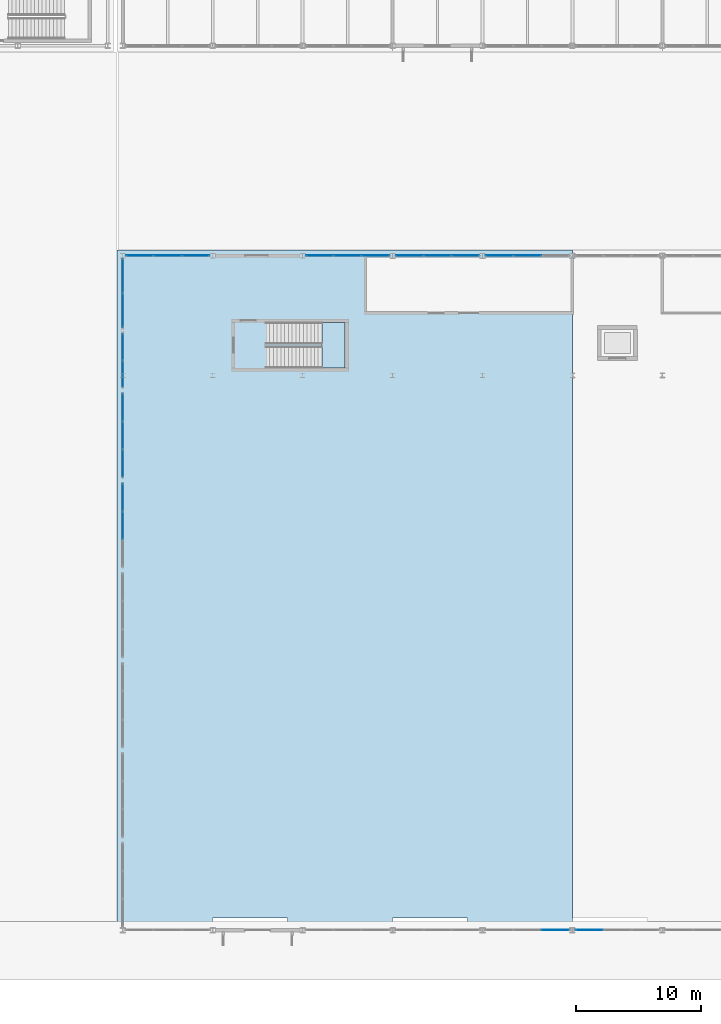
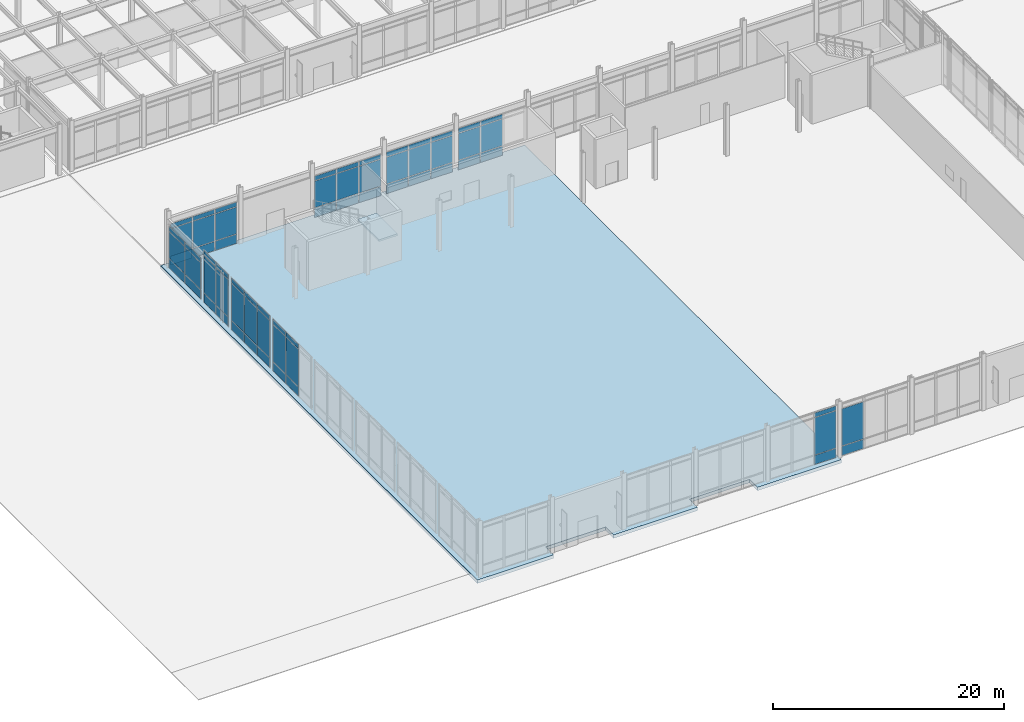
# One storey, part 58 of 104: 65 plates, 2 slabs, 11 elements without a shape of their own.
"""IFC4 building model written with IfcOpenShell, lengths in metres."""

from ifc_helpers import new_model, si_unit, direction, frame, origin, origin_2d, place, context, subcontext, project, spatial, polyline, rectangle, outline, extrude, material, layer, layer_set, type_object, element, aggregate, save


model = new_model("IFC4")

# Units and contexts
model_context = context("Model", 3, precision=1e-05, world=origin(), true_north=direction((0.0, 1.0)))
body_context = subcontext(model_context, "Body", "Model", "MODEL_VIEW")
ifc_project = project(units=[si_unit("LENGTHUNIT", "METRE"), si_unit("AREAUNIT", "SQUARE_METRE"), si_unit("VOLUMEUNIT", "CUBIC_METRE"), si_unit("PLANEANGLEUNIT", "RADIAN"), si_unit("MASSUNIT", "GRAM", prefix="KILO")], contexts=[model_context])

# Site, building, storey
site_placement = place(None, origin())
site = spatial("IfcSite", under=ifc_project, at=site_placement, CompositionType="ELEMENT")
building_placement = place(site_placement, origin())
building = spatial("IfcBuilding", under=site, at=building_placement, Name="Vaelcorin Mobility Hub", CompositionType="ELEMENT")
storey_placement = place(building_placement, origin())
storey = spatial("IfcBuildingStorey", under=building, at=storey_placement, Name="L00", CompositionType="ELEMENT", Elevation=0.0)

# Curtain wall, plates
ifc_material_1 = material(Name="Anodised aluminium 6063-T6", Category="aluminium")
curtain_wall_type_1 = type_object("IfcCurtainWallType", Name="CW-CONC-B", PredefinedType="NOTDEFINED", material=ifc_material_1)
curtain_wall_1_placement = place(storey_placement, origin())
curtain_wall_1 = element("IfcCurtainWall", 1, at=curtain_wall_1_placement, inside=storey, type_object=curtain_wall_type_1, Name="L00 Curtain Wall CW-V1-N-01", PredefinedType="NOTDEFINED")
ifc_material_2 = material(Name="Low-E solar-control insulated glazing", Category="glass")
ifc_layer_1 = layer(ifc_material_2, 0.031982421875)
ifc_layer_set_1 = layer_set([ifc_layer_1], Name="Low-E solar-control insulated glazing")
plate_type = type_object("IfcPlateType", Name="CW-PAN-GLZ32", PredefinedType="CURTAIN_PANEL", material=ifc_layer_set_1)
plate_1_placement = place(storey_placement, frame((37.361572265625, 60.0, 0.06005859375), z_axis=(0.0, 0.0, 1.0), x_axis=(1.0, 0.0, 0.0)))
plate_1 = element("IfcPlate", 2, at=plate_1_placement, type_object=plate_type, Name="CW2 panel 1.1", PredefinedType="CURTAIN_PANEL", context=body_context, shape_type="SweptSolid", body=[
    extrude(rectangle(XDim=2.163330078125, YDim=0.028076171875, at=origin_2d()), origin(), (0.0, 0.0, 1.0), 0.9599609375),
])
plate_2_placement = place(storey_placement, frame((37.361572265625, 60.0, 1.080078125), z_axis=(0.0, 0.0, 1.0), x_axis=(1.0, 0.0, 0.0)))
plate_2 = element("IfcPlate", 3, at=plate_2_placement, type_object=plate_type, Name="CW2 panel 1.2", PredefinedType="CURTAIN_PANEL", context=body_context, shape_type="SweptSolid", body=[
    extrude(rectangle(XDim=2.163330078125, YDim=0.028076171875, at=origin_2d()), origin(), (0.0, 0.0, 1.0), 2.822021484375),
])
plate_3_placement = place(storey_placement, frame((37.361572265625, 60.0, 3.9619140625), z_axis=(0.0, 0.0, 1.0), x_axis=(1.0, 0.0, 0.0)))
plate_3 = element("IfcPlate", 4, at=plate_3_placement, type_object=plate_type, Name="CW2 panel 1.3", PredefinedType="CURTAIN_PANEL", context=body_context, shape_type="SweptSolid", body=[
    extrude(rectangle(XDim=2.163330078125, YDim=0.028076171875, at=origin_2d()), origin(), (0.0, 0.0, 1.0), 0.4599609375),
])
plate_4_placement = place(storey_placement, frame((39.60009765625, 60.0, 0.06005859375), z_axis=(0.0, 0.0, 1.0), x_axis=(1.0, 0.0, 0.0)))
plate_4 = element("IfcPlate", 5, at=plate_4_placement, type_object=plate_type, Name="CW2 panel 2.1", PredefinedType="CURTAIN_PANEL", context=body_context, shape_type="SweptSolid", body=[
    extrude(rectangle(XDim=2.193359375, YDim=0.028076171875, at=origin_2d()), origin(), (0.0, 0.0, 1.0), 0.9599609375),
])
plate_5_placement = place(storey_placement, frame((39.60009765625, 60.0, 1.080078125), z_axis=(0.0, 0.0, 1.0), x_axis=(1.0, 0.0, 0.0)))
plate_5 = element("IfcPlate", 6, at=plate_5_placement, type_object=plate_type, Name="CW2 panel 2.2", PredefinedType="CURTAIN_PANEL", context=body_context, shape_type="SweptSolid", body=[
    extrude(rectangle(XDim=2.193359375, YDim=0.028076171875, at=origin_2d()), origin(), (0.0, 0.0, 1.0), 2.822021484375),
])
plate_6_placement = place(storey_placement, frame((39.60009765625, 60.0, 3.9619140625), z_axis=(0.0, 0.0, 1.0), x_axis=(1.0, 0.0, 0.0)))
plate_6 = element("IfcPlate", 7, at=plate_6_placement, type_object=plate_type, Name="CW2 panel 2.3", PredefinedType="CURTAIN_PANEL", context=body_context, shape_type="SweptSolid", body=[
    extrude(rectangle(XDim=2.193359375, YDim=0.028076171875, at=origin_2d()), origin(), (0.0, 0.0, 1.0), 0.4599609375),
])
plate_7_placement = place(storey_placement, frame((41.83837890625, 60.0, 0.06005859375), z_axis=(0.0, 0.0, 1.0), x_axis=(1.0, 0.0, 0.0)))
plate_7 = element("IfcPlate", 8, at=plate_7_placement, type_object=plate_type, Name="CW2 panel 3.1", PredefinedType="CURTAIN_PANEL", context=body_context, shape_type="SweptSolid", body=[
    extrude(rectangle(XDim=2.163330078125, YDim=0.028076171875, at=origin_2d()), origin(), (0.0, 0.0, 1.0), 0.9599609375),
])
plate_8_placement = place(storey_placement, frame((41.83837890625, 60.0, 1.080078125), z_axis=(0.0, 0.0, 1.0), x_axis=(1.0, 0.0, 0.0)))
plate_8 = element("IfcPlate", 9, at=plate_8_placement, type_object=plate_type, Name="CW2 panel 3.2", PredefinedType="CURTAIN_PANEL", context=body_context, shape_type="SweptSolid", body=[
    extrude(rectangle(XDim=2.163330078125, YDim=0.028076171875, at=origin_2d()), origin(), (0.0, 0.0, 1.0), 2.822021484375),
])
plate_9_placement = place(storey_placement, frame((41.83837890625, 60.0, 3.9619140625), z_axis=(0.0, 0.0, 1.0), x_axis=(1.0, 0.0, 0.0)))
plate_9 = element("IfcPlate", 10, at=plate_9_placement, type_object=plate_type, Name="CW2 panel 3.3", PredefinedType="CURTAIN_PANEL", context=body_context, shape_type="SweptSolid", body=[
    extrude(rectangle(XDim=2.163330078125, YDim=0.028076171875, at=origin_2d()), origin(), (0.0, 0.0, 1.0), 0.4599609375),
])
aggregate(curtain_wall_1, [plate_1, plate_2, plate_3, plate_4, plate_5, plate_6, plate_7, plate_8, plate_9])

curtain_wall_2_placement = place(storey_placement, origin())
curtain_wall_2 = element("IfcCurtainWall", 11, at=curtain_wall_2_placement, inside=storey, type_object=curtain_wall_type_1, Name="L00 Curtain Wall CW-V1-N-03", PredefinedType="NOTDEFINED")
plate_10_placement = place(storey_placement, frame((51.76171875, 60.0, 0.06005859375), z_axis=(0.0, 0.0, 1.0), x_axis=(1.0, 0.0, 0.0)))
plate_10 = element("IfcPlate", 12, at=plate_10_placement, type_object=plate_type, Name="CW2 panel 1.1", PredefinedType="CURTAIN_PANEL", context=body_context, shape_type="SweptSolid", body=[
    extrude(rectangle(XDim=2.163330078125, YDim=0.028076171875, at=origin_2d()), origin(), (0.0, 0.0, 1.0), 0.9599609375),
])
plate_11_placement = place(storey_placement, frame((51.76171875, 60.0, 1.080078125), z_axis=(0.0, 0.0, 1.0), x_axis=(1.0, 0.0, 0.0)))
plate_11 = element("IfcPlate", 13, at=plate_11_placement, type_object=plate_type, Name="CW2 panel 1.2", PredefinedType="CURTAIN_PANEL", context=body_context, shape_type="SweptSolid", body=[
    extrude(rectangle(XDim=2.163330078125, YDim=0.028076171875, at=origin_2d()), origin(), (0.0, 0.0, 1.0), 2.822021484375),
])
plate_12_placement = place(storey_placement, frame((51.76171875, 60.0, 3.9619140625), z_axis=(0.0, 0.0, 1.0), x_axis=(1.0, 0.0, 0.0)))
plate_12 = element("IfcPlate", 14, at=plate_12_placement, type_object=plate_type, Name="CW2 panel 1.3", PredefinedType="CURTAIN_PANEL", context=body_context, shape_type="SweptSolid", body=[
    extrude(rectangle(XDim=2.163330078125, YDim=0.028076171875, at=origin_2d()), origin(), (0.0, 0.0, 1.0), 0.4599609375),
])
plate_13_placement = place(storey_placement, frame((54.0, 60.0, 0.06005859375), z_axis=(0.0, 0.0, 1.0), x_axis=(1.0, 0.0, 0.0)))
plate_13 = element("IfcPlate", 15, at=plate_13_placement, type_object=plate_type, Name="CW2 panel 2.1", PredefinedType="CURTAIN_PANEL", context=body_context, shape_type="SweptSolid", body=[
    extrude(rectangle(XDim=2.193359375, YDim=0.028076171875, at=origin_2d()), origin(), (0.0, 0.0, 1.0), 0.9599609375),
])
plate_14_placement = place(storey_placement, frame((54.0, 60.0, 1.080078125), z_axis=(0.0, 0.0, 1.0), x_axis=(1.0, 0.0, 0.0)))
plate_14 = element("IfcPlate", 16, at=plate_14_placement, type_object=plate_type, Name="CW2 panel 2.2", PredefinedType="CURTAIN_PANEL", context=body_context, shape_type="SweptSolid", body=[
    extrude(rectangle(XDim=2.193359375, YDim=0.028076171875, at=origin_2d()), origin(), (0.0, 0.0, 1.0), 2.822021484375),
])
plate_15_placement = place(storey_placement, frame((54.0, 60.0, 3.9619140625), z_axis=(0.0, 0.0, 1.0), x_axis=(1.0, 0.0, 0.0)))
plate_15 = element("IfcPlate", 17, at=plate_15_placement, type_object=plate_type, Name="CW2 panel 2.3", PredefinedType="CURTAIN_PANEL", context=body_context, shape_type="SweptSolid", body=[
    extrude(rectangle(XDim=2.193359375, YDim=0.028076171875, at=origin_2d()), origin(), (0.0, 0.0, 1.0), 0.4599609375),
])
plate_16_placement = place(storey_placement, frame((56.23828125, 60.0, 0.06005859375), z_axis=(0.0, 0.0, 1.0), x_axis=(1.0, 0.0, 0.0)))
plate_16 = element("IfcPlate", 18, at=plate_16_placement, type_object=plate_type, Name="CW2 panel 3.1", PredefinedType="CURTAIN_PANEL", context=body_context, shape_type="SweptSolid", body=[
    extrude(rectangle(XDim=2.163330078125, YDim=0.028076171875, at=origin_2d()), origin(), (0.0, 0.0, 1.0), 0.9599609375),
])
plate_17_placement = place(storey_placement, frame((56.23828125, 60.0, 1.080078125), z_axis=(0.0, 0.0, 1.0), x_axis=(1.0, 0.0, 0.0)))
plate_17 = element("IfcPlate", 19, at=plate_17_placement, type_object=plate_type, Name="CW2 panel 3.2", PredefinedType="CURTAIN_PANEL", context=body_context, shape_type="SweptSolid", body=[
    extrude(rectangle(XDim=2.163330078125, YDim=0.028076171875, at=origin_2d()), origin(), (0.0, 0.0, 1.0), 2.822021484375),
])
plate_18_placement = place(storey_placement, frame((56.23828125, 60.0, 3.9619140625), z_axis=(0.0, 0.0, 1.0), x_axis=(1.0, 0.0, 0.0)))
plate_18 = element("IfcPlate", 20, at=plate_18_placement, type_object=plate_type, Name="CW2 panel 3.3", PredefinedType="CURTAIN_PANEL", context=body_context, shape_type="SweptSolid", body=[
    extrude(rectangle(XDim=2.163330078125, YDim=0.028076171875, at=origin_2d()), origin(), (0.0, 0.0, 1.0), 0.4599609375),
])
aggregate(curtain_wall_2, [plate_10, plate_11, plate_12, plate_13, plate_14, plate_15, plate_16, plate_17, plate_18])

curtain_wall_3_placement = place(storey_placement, origin())
curtain_wall_3 = element("IfcCurtainWall", 21, at=curtain_wall_3_placement, inside=storey, type_object=curtain_wall_type_1, Name="L00 Curtain Wall CW-V1-N-04", PredefinedType="NOTDEFINED")
plate_19_placement = place(storey_placement, frame((58.961669921875, 60.0, 0.06005859375), z_axis=(0.0, 0.0, 1.0), x_axis=(1.0, 0.0, 0.0)))
plate_19 = element("IfcPlate", 22, at=plate_19_placement, type_object=plate_type, Name="CW2 panel 1.1", PredefinedType="CURTAIN_PANEL", context=body_context, shape_type="SweptSolid", body=[
    extrude(rectangle(XDim=2.163330078125, YDim=0.028076171875, at=origin_2d()), origin(), (0.0, 0.0, 1.0), 0.9599609375),
])
plate_20_placement = place(storey_placement, frame((58.961669921875, 60.0, 1.080078125), z_axis=(0.0, 0.0, 1.0), x_axis=(1.0, 0.0, 0.0)))
plate_20 = element("IfcPlate", 23, at=plate_20_placement, type_object=plate_type, Name="CW2 panel 1.2", PredefinedType="CURTAIN_PANEL", context=body_context, shape_type="SweptSolid", body=[
    extrude(rectangle(XDim=2.163330078125, YDim=0.028076171875, at=origin_2d()), origin(), (0.0, 0.0, 1.0), 2.822021484375),
])
plate_21_placement = place(storey_placement, frame((58.961669921875, 60.0, 3.9619140625), z_axis=(0.0, 0.0, 1.0), x_axis=(1.0, 0.0, 0.0)))
plate_21 = element("IfcPlate", 24, at=plate_21_placement, type_object=plate_type, Name="CW2 panel 1.3", PredefinedType="CURTAIN_PANEL", context=body_context, shape_type="SweptSolid", body=[
    extrude(rectangle(XDim=2.163330078125, YDim=0.028076171875, at=origin_2d()), origin(), (0.0, 0.0, 1.0), 0.4599609375),
])
plate_22_placement = place(storey_placement, frame((61.199951171875, 60.0, 0.06005859375), z_axis=(0.0, 0.0, 1.0), x_axis=(1.0, 0.0, 0.0)))
plate_22 = element("IfcPlate", 25, at=plate_22_placement, type_object=plate_type, Name="CW2 panel 2.1", PredefinedType="CURTAIN_PANEL", context=body_context, shape_type="SweptSolid", body=[
    extrude(rectangle(XDim=2.193359375, YDim=0.028076171875, at=origin_2d()), origin(), (0.0, 0.0, 1.0), 0.9599609375),
])
plate_23_placement = place(storey_placement, frame((61.199951171875, 60.0, 1.080078125), z_axis=(0.0, 0.0, 1.0), x_axis=(1.0, 0.0, 0.0)))
plate_23 = element("IfcPlate", 26, at=plate_23_placement, type_object=plate_type, Name="CW2 panel 2.2", PredefinedType="CURTAIN_PANEL", context=body_context, shape_type="SweptSolid", body=[
    extrude(rectangle(XDim=2.193359375, YDim=0.028076171875, at=origin_2d()), origin(), (0.0, 0.0, 1.0), 2.822021484375),
])
plate_24_placement = place(storey_placement, frame((61.199951171875, 60.0, 3.9619140625), z_axis=(0.0, 0.0, 1.0), x_axis=(1.0, 0.0, 0.0)))
plate_24 = element("IfcPlate", 27, at=plate_24_placement, type_object=plate_type, Name="CW2 panel 2.3", PredefinedType="CURTAIN_PANEL", context=body_context, shape_type="SweptSolid", body=[
    extrude(rectangle(XDim=2.193359375, YDim=0.028076171875, at=origin_2d()), origin(), (0.0, 0.0, 1.0), 0.4599609375),
])
plate_25_placement = place(storey_placement, frame((63.438232421875, 60.0, 0.06005859375), z_axis=(0.0, 0.0, 1.0), x_axis=(1.0, 0.0, 0.0)))
plate_25 = element("IfcPlate", 28, at=plate_25_placement, type_object=plate_type, Name="CW2 panel 3.1", PredefinedType="CURTAIN_PANEL", context=body_context, shape_type="SweptSolid", body=[
    extrude(rectangle(XDim=2.163330078125, YDim=0.028076171875, at=origin_2d()), origin(), (0.0, 0.0, 1.0), 0.9599609375),
])
plate_26_placement = place(storey_placement, frame((63.438232421875, 60.0, 1.080078125), z_axis=(0.0, 0.0, 1.0), x_axis=(1.0, 0.0, 0.0)))
plate_26 = element("IfcPlate", 29, at=plate_26_placement, type_object=plate_type, Name="CW2 panel 3.2", PredefinedType="CURTAIN_PANEL", context=body_context, shape_type="SweptSolid", body=[
    extrude(rectangle(XDim=2.163330078125, YDim=0.028076171875, at=origin_2d()), origin(), (0.0, 0.0, 1.0), 2.822021484375),
])
plate_27_placement = place(storey_placement, frame((63.438232421875, 60.0, 3.9619140625), z_axis=(0.0, 0.0, 1.0), x_axis=(1.0, 0.0, 0.0)))
plate_27 = element("IfcPlate", 30, at=plate_27_placement, type_object=plate_type, Name="CW2 panel 3.3", PredefinedType="CURTAIN_PANEL", context=body_context, shape_type="SweptSolid", body=[
    extrude(rectangle(XDim=2.163330078125, YDim=0.028076171875, at=origin_2d()), origin(), (0.0, 0.0, 1.0), 0.4599609375),
])
aggregate(curtain_wall_3, [plate_19, plate_20, plate_21, plate_22, plate_23, plate_24, plate_25, plate_26, plate_27])

curtain_wall_type_2 = type_object("IfcCurtainWallType", Name="CW-CONC-A", PredefinedType="NOTDEFINED", material=ifc_material_1)
curtain_wall_4_placement = place(storey_placement, origin())
curtain_wall_4 = element("IfcCurtainWall", 31, at=curtain_wall_4_placement, inside=storey, type_object=curtain_wall_type_2, Name="L00 Curtain Wall CW-V1-S-05", PredefinedType="NOTDEFINED")
plate_28_placement = place(storey_placement, frame((70.638427734375, 6.0, 0.06005859375), z_axis=(0.0, 0.0, 1.0), x_axis=(-1.0, 0.0, 0.0)))
plate_28 = element("IfcPlate", 32, at=plate_28_placement, type_object=plate_type, Name="CW1 panel 1.1", PredefinedType="CURTAIN_PANEL", context=body_context, shape_type="SweptSolid", body=[
    extrude(rectangle(XDim=2.163330078125, YDim=0.028076171875, at=origin_2d()), origin(), (0.0, 0.0, 1.0), 0.9599609375),
])
plate_29_placement = place(storey_placement, frame((70.638427734375, 6.0, 1.080078125), z_axis=(0.0, 0.0, 1.0), x_axis=(-1.0, 0.0, 0.0)))
plate_29 = element("IfcPlate", 33, at=plate_29_placement, type_object=plate_type, Name="CW1 panel 1.2", PredefinedType="CURTAIN_PANEL", context=body_context, shape_type="SweptSolid", body=[
    extrude(rectangle(XDim=2.163330078125, YDim=0.028076171875, at=origin_2d()), origin(), (0.0, 0.0, 1.0), 3.919921875),
])
plate_30_placement = place(storey_placement, frame((70.638427734375, 6.0, 5.06005859375), z_axis=(0.0, 0.0, 1.0), x_axis=(-1.0, 0.0, 0.0)))
plate_30 = element("IfcPlate", 34, at=plate_30_placement, type_object=plate_type, Name="CW1 panel 1.3", PredefinedType="CURTAIN_PANEL", context=body_context, shape_type="SweptSolid", body=[
    extrude(rectangle(XDim=2.163330078125, YDim=0.028076171875, at=origin_2d()), origin(), (0.0, 0.0, 1.0), 0.4599609375),
])
aggregate(curtain_wall_4, [plate_28, plate_29, plate_30])

curtain_wall_5_placement = place(storey_placement, origin())
curtain_wall_5 = element("IfcCurtainWall", 35, at=curtain_wall_5_placement, inside=storey, type_object=curtain_wall_type_1, Name="L00 Curtain Wall CW-V1-N-05", PredefinedType="NOTDEFINED")
plate_31_placement = place(storey_placement, frame((66.16162109375, 60.0, 0.06005859375), z_axis=(0.0, 0.0, 1.0), x_axis=(1.0, 0.0, 0.0)))
plate_31 = element("IfcPlate", 36, at=plate_31_placement, type_object=plate_type, Name="CW2 panel 1.1", PredefinedType="CURTAIN_PANEL", context=body_context, shape_type="SweptSolid", body=[
    extrude(rectangle(XDim=2.163330078125, YDim=0.028076171875, at=origin_2d()), origin(), (0.0, 0.0, 1.0), 0.9599609375),
])
plate_32_placement = place(storey_placement, frame((66.16162109375, 60.0, 1.080078125), z_axis=(0.0, 0.0, 1.0), x_axis=(1.0, 0.0, 0.0)))
plate_32 = element("IfcPlate", 37, at=plate_32_placement, type_object=plate_type, Name="CW2 panel 1.2", PredefinedType="CURTAIN_PANEL", context=body_context, shape_type="SweptSolid", body=[
    extrude(rectangle(XDim=2.163330078125, YDim=0.028076171875, at=origin_2d()), origin(), (0.0, 0.0, 1.0), 2.822021484375),
])
plate_33_placement = place(storey_placement, frame((66.16162109375, 60.0, 3.9619140625), z_axis=(0.0, 0.0, 1.0), x_axis=(1.0, 0.0, 0.0)))
plate_33 = element("IfcPlate", 38, at=plate_33_placement, type_object=plate_type, Name="CW2 panel 1.3", PredefinedType="CURTAIN_PANEL", context=body_context, shape_type="SweptSolid", body=[
    extrude(rectangle(XDim=2.163330078125, YDim=0.028076171875, at=origin_2d()), origin(), (0.0, 0.0, 1.0), 0.4599609375),
])
plate_34_placement = place(storey_placement, frame((68.39990234375, 60.0, 0.06005859375), z_axis=(0.0, 0.0, 1.0), x_axis=(1.0, 0.0, 0.0)))
plate_34 = element("IfcPlate", 39, at=plate_34_placement, type_object=plate_type, Name="CW2 panel 2.1", PredefinedType="CURTAIN_PANEL", context=body_context, shape_type="SweptSolid", body=[
    extrude(rectangle(XDim=2.193359375, YDim=0.028076171875, at=origin_2d()), origin(), (0.0, 0.0, 1.0), 0.9599609375),
])
plate_35_placement = place(storey_placement, frame((68.39990234375, 60.0, 1.080078125), z_axis=(0.0, 0.0, 1.0), x_axis=(1.0, 0.0, 0.0)))
plate_35 = element("IfcPlate", 40, at=plate_35_placement, type_object=plate_type, Name="CW2 panel 2.2", PredefinedType="CURTAIN_PANEL", context=body_context, shape_type="SweptSolid", body=[
    extrude(rectangle(XDim=2.193359375, YDim=0.028076171875, at=origin_2d()), origin(), (0.0, 0.0, 1.0), 2.822021484375),
])
plate_36_placement = place(storey_placement, frame((68.39990234375, 60.0, 3.9619140625), z_axis=(0.0, 0.0, 1.0), x_axis=(1.0, 0.0, 0.0)))
plate_36 = element("IfcPlate", 41, at=plate_36_placement, type_object=plate_type, Name="CW2 panel 2.3", PredefinedType="CURTAIN_PANEL", context=body_context, shape_type="SweptSolid", body=[
    extrude(rectangle(XDim=2.193359375, YDim=0.028076171875, at=origin_2d()), origin(), (0.0, 0.0, 1.0), 0.4599609375),
])
aggregate(curtain_wall_5, [plate_31, plate_32, plate_33, plate_34, plate_35, plate_36])

curtain_wall_6_placement = place(storey_placement, origin())
curtain_wall_6 = element("IfcCurtainWall", 42, at=curtain_wall_6_placement, inside=storey, type_object=curtain_wall_type_2, Name="L00 Curtain Wall CW-V1-S-06", PredefinedType="NOTDEFINED")
plate_37_placement = place(storey_placement, frame((73.361572265625, 6.0, 0.06005859375), z_axis=(0.0, 0.0, 1.0), x_axis=(-1.0, 0.0, 0.0)))
plate_37 = element("IfcPlate", 43, at=plate_37_placement, type_object=plate_type, Name="CW1 panel 3.1", PredefinedType="CURTAIN_PANEL", context=body_context, shape_type="SweptSolid", body=[
    extrude(rectangle(XDim=2.163330078125, YDim=0.028076171875, at=origin_2d()), origin(), (0.0, 0.0, 1.0), 0.9599609375),
])
plate_38_placement = place(storey_placement, frame((73.361572265625, 6.0, 1.080078125), z_axis=(0.0, 0.0, 1.0), x_axis=(-1.0, 0.0, 0.0)))
plate_38 = element("IfcPlate", 44, at=plate_38_placement, type_object=plate_type, Name="CW1 panel 3.2", PredefinedType="CURTAIN_PANEL", context=body_context, shape_type="SweptSolid", body=[
    extrude(rectangle(XDim=2.163330078125, YDim=0.028076171875, at=origin_2d()), origin(), (0.0, 0.0, 1.0), 3.919921875),
])
aggregate(curtain_wall_6, [plate_37, plate_38])

curtain_wall_7_placement = place(storey_placement, origin())
curtain_wall_7 = element("IfcCurtainWall", 45, at=curtain_wall_7_placement, inside=storey, type_object=curtain_wall_type_2, Name="L00 Curtain Wall CW-V1-W-05", PredefinedType="NOTDEFINED")
plate_39_placement = place(storey_placement, frame((36.0, 38.39990234375, 0.06005859375), z_axis=(0.0, 0.0, 1.0), x_axis=(0.0, 1.0, 0.0)))
plate_39 = element("IfcPlate", 46, at=plate_39_placement, type_object=plate_type, Name="CW1 panel 2.1", PredefinedType="CURTAIN_PANEL", context=body_context, shape_type="SweptSolid", body=[
    extrude(rectangle(XDim=2.193359375, YDim=0.028076171875, at=origin_2d()), origin(), (0.0, 0.0, 1.0), 0.9599609375),
])
plate_40_placement = place(storey_placement, frame((36.0, 38.39990234375, 1.080078125), z_axis=(0.0, 0.0, 1.0), x_axis=(0.0, 1.0, 0.0)))
plate_40 = element("IfcPlate", 47, at=plate_40_placement, type_object=plate_type, Name="CW1 panel 2.2", PredefinedType="CURTAIN_PANEL", context=body_context, shape_type="SweptSolid", body=[
    extrude(rectangle(XDim=2.193359375, YDim=0.028076171875, at=origin_2d()), origin(), (0.0, 0.0, 1.0), 3.919921875),
])
plate_41_placement = place(storey_placement, frame((36.0, 38.39990234375, 5.06005859375), z_axis=(0.0, 0.0, 1.0), x_axis=(0.0, 1.0, 0.0)))
plate_41 = element("IfcPlate", 48, at=plate_41_placement, type_object=plate_type, Name="CW1 panel 2.3", PredefinedType="CURTAIN_PANEL", context=body_context, shape_type="SweptSolid", body=[
    extrude(rectangle(XDim=2.193359375, YDim=0.028076171875, at=origin_2d()), origin(), (0.0, 0.0, 1.0), 0.4599609375),
])
plate_42_placement = place(storey_placement, frame((36.0, 40.638427734375, 0.06005859375), z_axis=(0.0, 0.0, 1.0), x_axis=(0.0, 1.0, 0.0)))
plate_42 = element("IfcPlate", 49, at=plate_42_placement, type_object=plate_type, Name="CW1 panel 3.1", PredefinedType="CURTAIN_PANEL", context=body_context, shape_type="SweptSolid", body=[
    extrude(rectangle(XDim=2.163330078125, YDim=0.028076171875, at=origin_2d()), origin(), (0.0, 0.0, 1.0), 0.9599609375),
])
plate_43_placement = place(storey_placement, frame((36.0, 40.638427734375, 1.080078125), z_axis=(0.0, 0.0, 1.0), x_axis=(0.0, 1.0, 0.0)))
plate_43 = element("IfcPlate", 50, at=plate_43_placement, type_object=plate_type, Name="CW1 panel 3.2", PredefinedType="CURTAIN_PANEL", context=body_context, shape_type="SweptSolid", body=[
    extrude(rectangle(XDim=2.163330078125, YDim=0.028076171875, at=origin_2d()), origin(), (0.0, 0.0, 1.0), 3.919921875),
])
plate_44_placement = place(storey_placement, frame((36.0, 40.638427734375, 5.06005859375), z_axis=(0.0, 0.0, 1.0), x_axis=(0.0, 1.0, 0.0)))
plate_44 = element("IfcPlate", 51, at=plate_44_placement, type_object=plate_type, Name="CW1 panel 3.3", PredefinedType="CURTAIN_PANEL", context=body_context, shape_type="SweptSolid", body=[
    extrude(rectangle(XDim=2.163330078125, YDim=0.028076171875, at=origin_2d()), origin(), (0.0, 0.0, 1.0), 0.4599609375),
])
aggregate(curtain_wall_7, [plate_39, plate_40, plate_41, plate_42, plate_43, plate_44])

curtain_wall_8_placement = place(storey_placement, origin())
curtain_wall_8 = element("IfcCurtainWall", 52, at=curtain_wall_8_placement, inside=storey, type_object=curtain_wall_type_2, Name="L00 Curtain Wall CW-V1-W-06", PredefinedType="NOTDEFINED")
plate_45_placement = place(storey_placement, frame((36.0, 43.361572265625, 0.06005859375), z_axis=(0.0, 0.0, 1.0), x_axis=(0.0, 1.0, 0.0)))
plate_45 = element("IfcPlate", 53, at=plate_45_placement, type_object=plate_type, Name="CW1 panel 1.1", PredefinedType="CURTAIN_PANEL", context=body_context, shape_type="SweptSolid", body=[
    extrude(rectangle(XDim=2.163330078125, YDim=0.028076171875, at=origin_2d()), origin(), (0.0, 0.0, 1.0), 0.9599609375),
])
plate_46_placement = place(storey_placement, frame((36.0, 43.361572265625, 1.080078125), z_axis=(0.0, 0.0, 1.0), x_axis=(0.0, 1.0, 0.0)))
plate_46 = element("IfcPlate", 54, at=plate_46_placement, type_object=plate_type, Name="CW1 panel 1.2", PredefinedType="CURTAIN_PANEL", context=body_context, shape_type="SweptSolid", body=[
    extrude(rectangle(XDim=2.163330078125, YDim=0.028076171875, at=origin_2d()), origin(), (0.0, 0.0, 1.0), 3.919921875),
])
plate_47_placement = place(storey_placement, frame((36.0, 43.361572265625, 5.06005859375), z_axis=(0.0, 0.0, 1.0), x_axis=(0.0, 1.0, 0.0)))
plate_47 = element("IfcPlate", 55, at=plate_47_placement, type_object=plate_type, Name="CW1 panel 1.3", PredefinedType="CURTAIN_PANEL", context=body_context, shape_type="SweptSolid", body=[
    extrude(rectangle(XDim=2.163330078125, YDim=0.028076171875, at=origin_2d()), origin(), (0.0, 0.0, 1.0), 0.4599609375),
])
plate_48_placement = place(storey_placement, frame((36.0, 45.60009765625, 0.06005859375), z_axis=(0.0, 0.0, 1.0), x_axis=(0.0, 1.0, 0.0)))
plate_48 = element("IfcPlate", 56, at=plate_48_placement, type_object=plate_type, Name="CW1 panel 2.1", PredefinedType="CURTAIN_PANEL", context=body_context, shape_type="SweptSolid", body=[
    extrude(rectangle(XDim=2.193359375, YDim=0.028076171875, at=origin_2d()), origin(), (0.0, 0.0, 1.0), 0.9599609375),
])
plate_49_placement = place(storey_placement, frame((36.0, 45.60009765625, 1.080078125), z_axis=(0.0, 0.0, 1.0), x_axis=(0.0, 1.0, 0.0)))
plate_49 = element("IfcPlate", 57, at=plate_49_placement, type_object=plate_type, Name="CW1 panel 2.2", PredefinedType="CURTAIN_PANEL", context=body_context, shape_type="SweptSolid", body=[
    extrude(rectangle(XDim=2.193359375, YDim=0.028076171875, at=origin_2d()), origin(), (0.0, 0.0, 1.0), 3.919921875),
])
plate_50_placement = place(storey_placement, frame((36.0, 45.60009765625, 5.06005859375), z_axis=(0.0, 0.0, 1.0), x_axis=(0.0, 1.0, 0.0)))
plate_50 = element("IfcPlate", 58, at=plate_50_placement, type_object=plate_type, Name="CW1 panel 2.3", PredefinedType="CURTAIN_PANEL", context=body_context, shape_type="SweptSolid", body=[
    extrude(rectangle(XDim=2.193359375, YDim=0.028076171875, at=origin_2d()), origin(), (0.0, 0.0, 1.0), 0.4599609375),
])
plate_51_placement = place(storey_placement, frame((36.0, 47.83837890625, 0.06005859375), z_axis=(0.0, 0.0, 1.0), x_axis=(0.0, 1.0, 0.0)))
plate_51 = element("IfcPlate", 59, at=plate_51_placement, type_object=plate_type, Name="CW1 panel 3.1", PredefinedType="CURTAIN_PANEL", context=body_context, shape_type="SweptSolid", body=[
    extrude(rectangle(XDim=2.163330078125, YDim=0.028076171875, at=origin_2d()), origin(), (0.0, 0.0, 1.0), 0.9599609375),
])
plate_52_placement = place(storey_placement, frame((36.0, 47.83837890625, 1.080078125), z_axis=(0.0, 0.0, 1.0), x_axis=(0.0, 1.0, 0.0)))
plate_52 = element("IfcPlate", 60, at=plate_52_placement, type_object=plate_type, Name="CW1 panel 3.2", PredefinedType="CURTAIN_PANEL", context=body_context, shape_type="SweptSolid", body=[
    extrude(rectangle(XDim=2.163330078125, YDim=0.028076171875, at=origin_2d()), origin(), (0.0, 0.0, 1.0), 3.919921875),
])
plate_53_placement = place(storey_placement, frame((36.0, 47.83837890625, 5.06005859375), z_axis=(0.0, 0.0, 1.0), x_axis=(0.0, 1.0, 0.0)))
plate_53 = element("IfcPlate", 61, at=plate_53_placement, type_object=plate_type, Name="CW1 panel 3.3", PredefinedType="CURTAIN_PANEL", context=body_context, shape_type="SweptSolid", body=[
    extrude(rectangle(XDim=2.163330078125, YDim=0.028076171875, at=origin_2d()), origin(), (0.0, 0.0, 1.0), 0.4599609375),
])
aggregate(curtain_wall_8, [plate_45, plate_46, plate_47, plate_48, plate_49, plate_50, plate_51, plate_52, plate_53])

curtain_wall_9_placement = place(storey_placement, origin())
curtain_wall_9 = element("IfcCurtainWall", 62, at=curtain_wall_9_placement, inside=storey, type_object=curtain_wall_type_2, Name="L00 Curtain Wall CW-V1-W-07", PredefinedType="NOTDEFINED")
plate_54_placement = place(storey_placement, frame((36.0, 50.52490234375, 0.06005859375), z_axis=(0.0, 0.0, 1.0), x_axis=(0.0, 1.0, 0.0)))
plate_54 = element("IfcPlate", 63, at=plate_54_placement, type_object=plate_type, Name="CW1 panel 1.1", PredefinedType="CURTAIN_PANEL", context=body_context, shape_type="SweptSolid", body=[
    extrude(rectangle(XDim=2.090087890625, YDim=0.028076171875, at=origin_2d()), origin(), (0.0, 0.0, 1.0), 0.9599609375),
])
plate_55_placement = place(storey_placement, frame((36.0, 50.52490234375, 1.080078125), z_axis=(0.0, 0.0, 1.0), x_axis=(0.0, 1.0, 0.0)))
plate_55 = element("IfcPlate", 64, at=plate_55_placement, type_object=plate_type, Name="CW1 panel 1.2", PredefinedType="CURTAIN_PANEL", context=body_context, shape_type="SweptSolid", body=[
    extrude(rectangle(XDim=2.090087890625, YDim=0.028076171875, at=origin_2d()), origin(), (0.0, 0.0, 1.0), 3.919921875),
])
plate_56_placement = place(storey_placement, frame((36.0, 50.52490234375, 5.06005859375), z_axis=(0.0, 0.0, 1.0), x_axis=(0.0, 1.0, 0.0)))
plate_56 = element("IfcPlate", 65, at=plate_56_placement, type_object=plate_type, Name="CW1 panel 1.3", PredefinedType="CURTAIN_PANEL", context=body_context, shape_type="SweptSolid", body=[
    extrude(rectangle(XDim=2.090087890625, YDim=0.028076171875, at=origin_2d()), origin(), (0.0, 0.0, 1.0), 0.4599609375),
])
plate_57_placement = place(storey_placement, frame((36.0, 52.675048828125, 0.06005859375), z_axis=(0.0, 0.0, 1.0), x_axis=(0.0, 1.0, 0.0)))
plate_57 = element("IfcPlate", 66, at=plate_57_placement, type_object=plate_type, Name="CW1 panel 2.1", PredefinedType="CURTAIN_PANEL", context=body_context, shape_type="SweptSolid", body=[
    extrude(rectangle(XDim=2.090087890625, YDim=0.028076171875, at=origin_2d()), origin(), (0.0, 0.0, 1.0), 0.9599609375),
])
plate_58_placement = place(storey_placement, frame((36.0, 52.675048828125, 1.080078125), z_axis=(0.0, 0.0, 1.0), x_axis=(0.0, 1.0, 0.0)))
plate_58 = element("IfcPlate", 67, at=plate_58_placement, type_object=plate_type, Name="CW1 panel 2.2", PredefinedType="CURTAIN_PANEL", context=body_context, shape_type="SweptSolid", body=[
    extrude(rectangle(XDim=2.090087890625, YDim=0.028076171875, at=origin_2d()), origin(), (0.0, 0.0, 1.0), 3.919921875),
])
plate_59_placement = place(storey_placement, frame((36.0, 52.675048828125, 5.06005859375), z_axis=(0.0, 0.0, 1.0), x_axis=(0.0, 1.0, 0.0)))
plate_59 = element("IfcPlate", 68, at=plate_59_placement, type_object=plate_type, Name="CW1 panel 2.3", PredefinedType="CURTAIN_PANEL", context=body_context, shape_type="SweptSolid", body=[
    extrude(rectangle(XDim=2.090087890625, YDim=0.028076171875, at=origin_2d()), origin(), (0.0, 0.0, 1.0), 0.4599609375),
])
aggregate(curtain_wall_9, [plate_54, plate_55, plate_56, plate_57, plate_58, plate_59])

curtain_wall_10_placement = place(storey_placement, origin())
curtain_wall_10 = element("IfcCurtainWall", 69, at=curtain_wall_10_placement, inside=storey, type_object=curtain_wall_type_2, Name="L00 Curtain Wall CW-V1-W-08", PredefinedType="NOTDEFINED")
plate_60_placement = place(storey_placement, frame((36.0, 55.625, 0.06005859375), z_axis=(0.0, 0.0, 1.0), x_axis=(0.0, 1.0, 0.0)))
plate_60 = element("IfcPlate", 70, at=plate_60_placement, type_object=plate_type, Name="CW1 panel 1.1", PredefinedType="CURTAIN_PANEL", context=body_context, shape_type="SweptSolid", body=[
    extrude(rectangle(XDim=2.68994140625, YDim=0.028076171875, at=origin_2d()), origin(), (0.0, 0.0, 1.0), 0.9599609375),
])
plate_61_placement = place(storey_placement, frame((36.0, 55.625, 1.080078125), z_axis=(0.0, 0.0, 1.0), x_axis=(0.0, 1.0, 0.0)))
plate_61 = element("IfcPlate", 71, at=plate_61_placement, type_object=plate_type, Name="CW1 panel 1.2", PredefinedType="CURTAIN_PANEL", context=body_context, shape_type="SweptSolid", body=[
    extrude(rectangle(XDim=2.68994140625, YDim=0.028076171875, at=origin_2d()), origin(), (0.0, 0.0, 1.0), 2.822021484375),
])
plate_62_placement = place(storey_placement, frame((36.0, 55.625, 3.9619140625), z_axis=(0.0, 0.0, 1.0), x_axis=(0.0, 1.0, 0.0)))
plate_62 = element("IfcPlate", 72, at=plate_62_placement, type_object=plate_type, Name="CW1 panel 1.3", PredefinedType="CURTAIN_PANEL", context=body_context, shape_type="SweptSolid", body=[
    extrude(rectangle(XDim=2.68994140625, YDim=0.028076171875, at=origin_2d()), origin(), (0.0, 0.0, 1.0), 0.4599609375),
])
plate_63_placement = place(storey_placement, frame((36.0, 58.375, 0.06005859375), z_axis=(0.0, 0.0, 1.0), x_axis=(0.0, 1.0, 0.0)))
plate_63 = element("IfcPlate", 73, at=plate_63_placement, type_object=plate_type, Name="CW1 panel 2.1", PredefinedType="CURTAIN_PANEL", context=body_context, shape_type="SweptSolid", body=[
    extrude(rectangle(XDim=2.68994140625, YDim=0.028076171875, at=origin_2d()), origin(), (0.0, 0.0, 1.0), 0.9599609375),
])
plate_64_placement = place(storey_placement, frame((36.0, 58.375, 1.080078125), z_axis=(0.0, 0.0, 1.0), x_axis=(0.0, 1.0, 0.0)))
plate_64 = element("IfcPlate", 74, at=plate_64_placement, type_object=plate_type, Name="CW1 panel 2.2", PredefinedType="CURTAIN_PANEL", context=body_context, shape_type="SweptSolid", body=[
    extrude(rectangle(XDim=2.68994140625, YDim=0.028076171875, at=origin_2d()), origin(), (0.0, 0.0, 1.0), 2.822021484375),
])
plate_65_placement = place(storey_placement, frame((36.0, 58.375, 3.9619140625), z_axis=(0.0, 0.0, 1.0), x_axis=(0.0, 1.0, 0.0)))
plate_65 = element("IfcPlate", 75, at=plate_65_placement, type_object=plate_type, Name="CW1 panel 2.3", PredefinedType="CURTAIN_PANEL", context=body_context, shape_type="SweptSolid", body=[
    extrude(rectangle(XDim=2.68994140625, YDim=0.028076171875, at=origin_2d()), origin(), (0.0, 0.0, 1.0), 0.4599609375),
])
aggregate(curtain_wall_10, [plate_60, plate_61, plate_62, plate_63, plate_64, plate_65])

# Slab
ifc_material_3 = material(Name="Concrete f'c 35 MPa", Category="concrete")
ifc_layer_2 = layer(ifc_material_3, 0.35009765625)
ifc_layer_set_2 = layer_set([ifc_layer_2], Name="Concrete f'c 35 MPa")
slab_type_1 = type_object("IfcSlabType", Name="SLAB-CONC", PredefinedType="FLOOR", material=ifc_layer_set_2)
slab_1_placement = place(storey_placement, frame((0.0, 0.0, -0.35009765625)))
element("IfcSlab", 76, at=slab_1_placement, inside=storey, type_object=slab_type_1, Name="L00 Bus Concourse Deck SL-V1-L00-W", PredefinedType="FLOOR", context=body_context, shape_type="SweptSolid", body=[
    extrude(outline(polyline([(72.0, 60.449951171875), (72.0, 6.949951171875), (72.0, 5.550048828125), (63.60009765625, 5.550048828125), (63.60009765625, 6.949951171875), (57.60009765625, 6.949951171875), (57.60009765625, 5.550048828125), (49.199951171875, 5.550048828125), (49.199951171875, 6.949951171875), (43.199951171875, 6.949951171875), (43.199951171875, 5.550048828125), (35.550048828125, 5.550048828125), (35.550048828125, 60.449951171875), (72.0, 60.449951171875)])), origin(), (0.0, 0.0, 1.0), 0.35009765625),
])

# Stair, slab
ifc_material_4 = material(Name="Reinforced concrete f'c 45 MPa", Category="concrete")
stair_type = type_object("IfcStairType", Name="STAIR-ST7", PredefinedType="HALF_TURN_STAIR", material=ifc_material_4)
stair_placement = place(storey_placement, origin())
stair = element("IfcStair", 77, at=stair_placement, inside=storey, type_object=stair_type, Name="L00 Protected Exit Stair ST7", PredefinedType="HALF_TURN_STAIR")
ifc_layer_3 = layer(ifc_material_4, 0.199951171875)
ifc_layer_set_3 = layer_set([ifc_layer_3], Name="Reinforced concrete f'c 45 MPa")
slab_type_2 = type_object("IfcSlabType", Name="SLAB-LND-200", PredefinedType="LANDING", material=ifc_layer_set_3)
slab_2_placement = place(storey_placement, frame((0.0, 0.0, 2.5)))
slab_2 = element("IfcSlab", 78, at=slab_2_placement, type_object=slab_type_2, Name="ST7 landing 1", PredefinedType="LANDING", context=body_context, shape_type="SweptSolid", body=[
    extrude(outline(polyline([(51.949951171875, 51.0), (53.800048828125, 51.0), (53.800048828125, 54.639892578125), (51.949951171875, 54.639892578125), (51.949951171875, 51.0)])), origin(), (0.0, 0.0, 1.0), 0.199951171875),
])
aggregate(stair, [slab_2])

save(model, "model.ifc")
